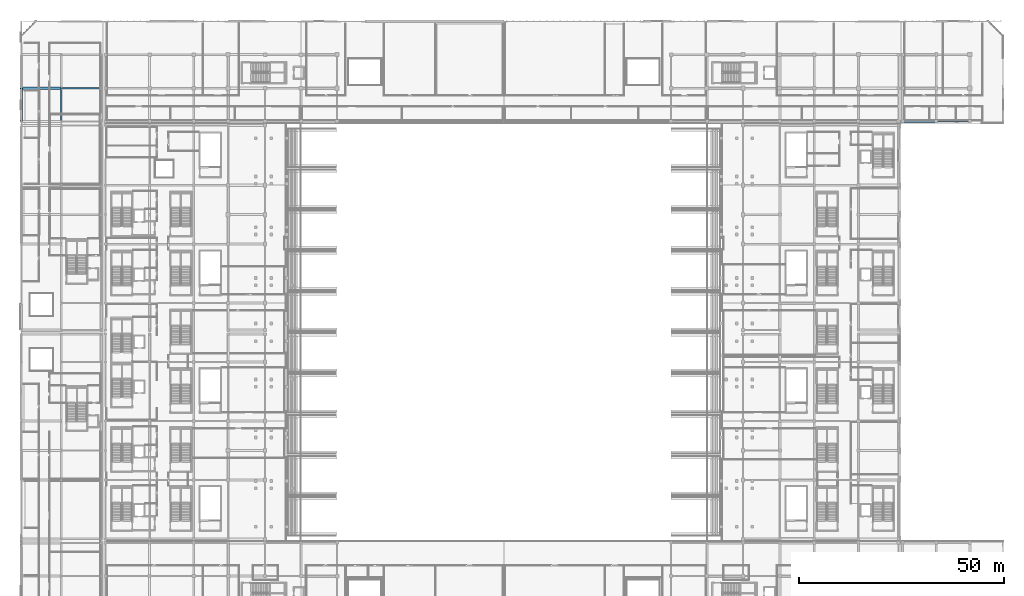
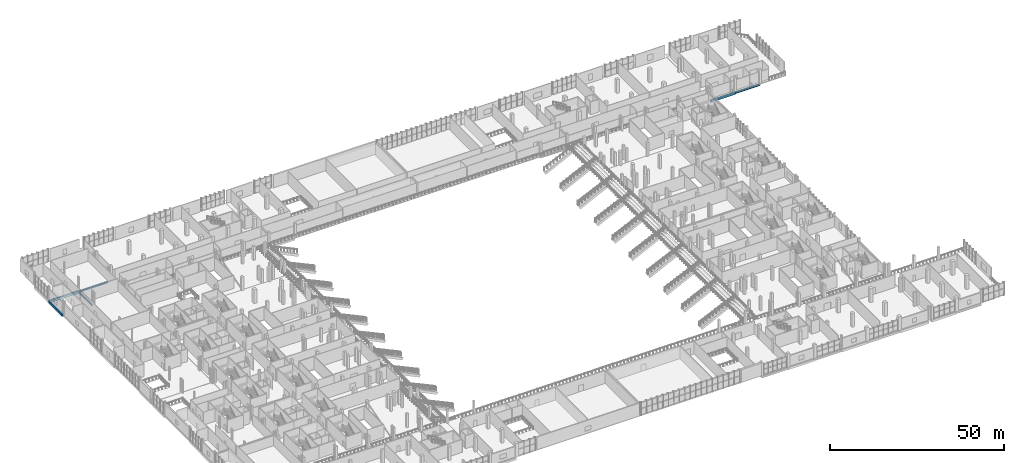
# One storey, part 45 of 129: 6 beams.
"""IFC4 building model written with IfcOpenShell, lengths in metres."""

from ifc_helpers import new_model, si_unit, direction, frame, origin, origin_2d, place, context, subcontext, project, spatial, rectangle, i_section, extrude, material, material_profile, profile_set, type_object, element, save


model = new_model("IFC4")

# Units and contexts
model_context = context("Model", 3, precision=1e-05, world=origin(), true_north=direction((0.0, 1.0)))
body_context = subcontext(model_context, "Body", "Model", "MODEL_VIEW")
ifc_project = project(units=[si_unit("LENGTHUNIT", "METRE"), si_unit("AREAUNIT", "SQUARE_METRE"), si_unit("VOLUMEUNIT", "CUBIC_METRE"), si_unit("PLANEANGLEUNIT", "RADIAN"), si_unit("MASSUNIT", "GRAM", prefix="KILO")], contexts=[model_context])

# Site, building, storey
site_placement = place(None, origin())
site = spatial("IfcSite", under=ifc_project, at=site_placement, CompositionType="ELEMENT")
building_placement = place(site_placement, origin())
building = spatial("IfcBuilding", under=site, at=building_placement, Name="Koshinbarg Plaza Stadium", CompositionType="ELEMENT")
storey_placement = place(building_placement, frame((0.0, 0.0, 5.39990234375)))
storey = spatial("IfcBuildingStorey", under=building, at=storey_placement, Name="L01", CompositionType="ELEMENT", Elevation=5.39990234375)

# Beams
ifc_material_1 = material(Name="Concrete C40/50", Category="concrete")
ifc_material_profile_1 = material_profile(ifc_material_1, rectangle(XDim=0.449951171875, YDim=0.800048828125, at=origin_2d()), Name="RC 450x800")
ifc_profile_set_1 = profile_set([ifc_material_profile_1], Name="Concrete C40/50")
beam_type_1 = type_object("IfcBeamType", Name="BM-RCG-04", PredefinedType="USERDEFINED", material=ifc_profile_set_1)
beam_1_placement = place(storey_placement, frame((219.4599609375, 127.5, -0.719970703125), z_axis=(1.0, 0.0, 0.0), x_axis=(0.0, 1.0, 0.0)))
element("IfcBeam", 1, at=beam_1_placement, inside=storey, type_object=beam_type_1, Name="L01 X girder S/22-23", ObjectType="GIRDER", PredefinedType="USERDEFINED", context=body_context, shape_type="SweptSolid", body=[
    extrude(rectangle(XDim=0.449951171875, YDim=0.800048828125, at=origin_2d()), origin(), (0.0, 0.0, 1.0), 8.080078125),
])
beam_2_placement = place(storey_placement, frame((4.0, 127.56005859375, -0.719970703125), z_axis=(0.0, 1.0, 0.0), x_axis=(-1.0, 0.0, 0.0)))
element("IfcBeam", 2, at=beam_2_placement, inside=storey, type_object=beam_type_1, Name="L01 Y girder 2/S-T", ObjectType="GIRDER", PredefinedType="USERDEFINED", context=body_context, shape_type="SweptSolid", body=[
    extrude(rectangle(XDim=0.449951171875, YDim=0.800048828125, at=origin_2d()), origin(), (0.0, 0.0, 1.0), 7.97998046875),
])
ifc_material_profile_2 = material_profile(ifc_material_1, rectangle(XDim=0.5, YDim=0.85009765625, at=origin_2d()), Name="RC 500x850")
ifc_profile_set_2 = profile_set([ifc_material_profile_2], Name="Concrete C40/50")
beam_type_2 = type_object("IfcBeamType", Name="BM-RCG-05", PredefinedType="USERDEFINED", material=ifc_profile_set_2)
beam_3_placement = place(storey_placement, frame((4.06005859375, 135.60009765625, -0.744873046875), z_axis=(1.0, 0.0, 0.0), x_axis=(0.0, 1.0, 0.0)))
element("IfcBeam", 3, at=beam_3_placement, inside=storey, type_object=beam_type_2, Name="L01 X girder T/2-3", ObjectType="GIRDER", PredefinedType="USERDEFINED", context=body_context, shape_type="SweptSolid", body=[
    extrude(rectangle(XDim=0.5, YDim=0.85009765625, at=origin_2d()), origin(), (0.0, 0.0, 1.0), 9.679931640625),
])
ifc_material_2 = material(Name="Steel S355", Category="steel")
ifc_material_profile_3 = material_profile(ifc_material_2, i_section(OverallWidth=0.300048828125, OverallDepth=0.60009765625, WebThickness=0.015380859375, FlangeThickness=0.030029296875, at=origin_2d()), Name="HEB 600")
ifc_profile_set_3 = profile_set([ifc_material_profile_3], Name="Steel S355")
beam_type_3 = type_object("IfcBeamType", Name="BM-SGIR-02", PredefinedType="USERDEFINED", material=ifc_profile_set_3)
beam_4_placement = place(storey_placement, frame((13.800048828125, 127.56005859375, -0.619873046875), z_axis=(0.0, 1.0, 0.0), x_axis=(-1.0, 0.0, 0.0)))
element("IfcBeam", 4, at=beam_4_placement, inside=storey, type_object=beam_type_3, Name="L01 Y girder 3/S-T", ObjectType="GIRDER", PredefinedType="USERDEFINED", context=body_context, shape_type="SweptSolid", body=[
    extrude(i_section(OverallWidth=0.300048828125, OverallDepth=0.60009765625, WebThickness=0.015380859375, FlangeThickness=0.030029296875, at=origin_2d()), origin(), (0.0, 0.0, 1.0), 7.97998046875),
])
ifc_material_profile_4 = material_profile(ifc_material_2, i_section(OverallWidth=0.300048828125, OverallDepth=0.699951171875, WebThickness=0.01708984375, FlangeThickness=0.031982421875, at=origin_2d()), Name="HEB 700")
ifc_profile_set_4 = profile_set([ifc_material_profile_4], Name="Steel S355")
beam_type_4 = type_object("IfcBeamType", Name="BM-SGIR-03", PredefinedType="USERDEFINED", material=ifc_profile_set_4)
beam_5_placement = place(storey_placement, frame((227.659912109375, 127.5, -0.669921875), z_axis=(1.0, 0.0, 0.0), x_axis=(0.0, 1.0, 0.0)))
element("IfcBeam", 5, at=beam_5_placement, inside=storey, type_object=beam_type_4, Name="L01 X girder S/23-24", ObjectType="GIRDER", PredefinedType="USERDEFINED", context=body_context, shape_type="SweptSolid", body=[
    extrude(i_section(OverallWidth=0.300048828125, OverallDepth=0.699951171875, WebThickness=0.01708984375, FlangeThickness=0.031982421875, at=origin_2d()), origin(), (0.0, 0.0, 1.0), 8.080078125),
])
beam_6_placement = place(storey_placement, frame((13.860107421875, 135.60009765625, -0.669921875), z_axis=(1.0, 0.0, 0.0), x_axis=(0.0, 1.0, 0.0)))
element("IfcBeam", 6, at=beam_6_placement, inside=storey, type_object=beam_type_4, Name="L01 X girder T/3-4", ObjectType="GIRDER", PredefinedType="USERDEFINED", context=body_context, shape_type="SweptSolid", body=[
    extrude(i_section(OverallWidth=0.300048828125, OverallDepth=0.699951171875, WebThickness=0.01708984375, FlangeThickness=0.031982421875, at=origin_2d()), origin(), (0.0, 0.0, 1.0), 9.679931640625),
])

save(model, "model.ifc")
